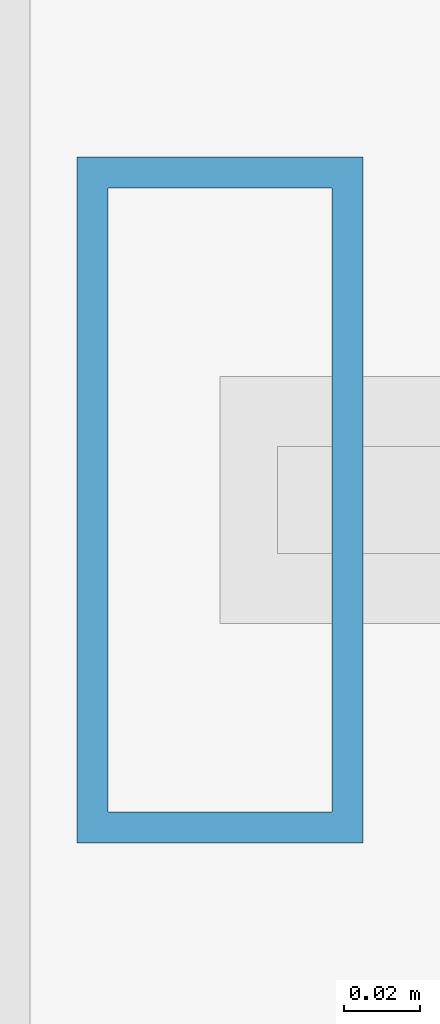
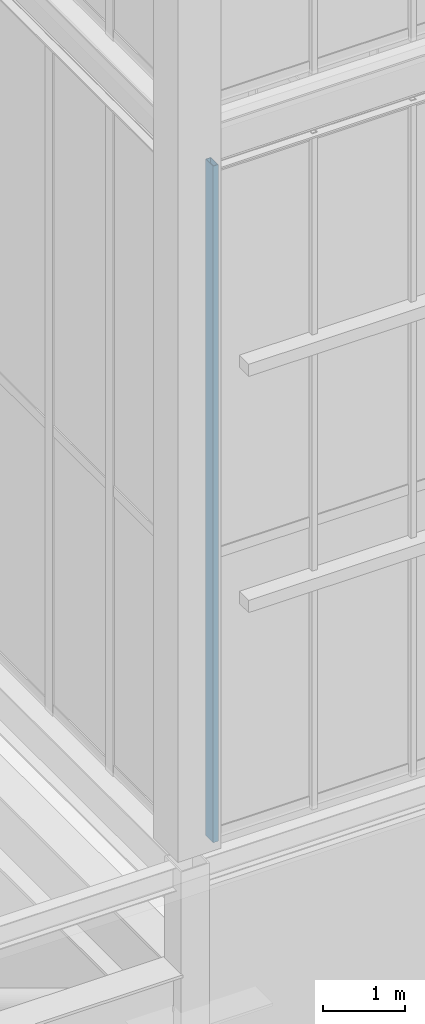
# One storey, part 30 of 135: 1 member, 1 element without a shape of its own.
"""IFC4 building model written with IfcOpenShell, lengths in metres."""

from ifc_helpers import new_model, si_unit, direction, frame, origin, origin_2d, place, context, subcontext, project, spatial, hollow_rectangle, extrude, source, transform, mapped, material, layer, layer_set, material_profile, profile_set, type_object, element, aggregate, save


model = new_model("IFC4")

# Units and contexts
model_context = context("Model", 3, precision=1e-05, world=origin(), true_north=direction((0.0, 1.0)))
body_context = subcontext(model_context, "Body", "Model", "MODEL_VIEW")
ifc_project = project(units=[si_unit("LENGTHUNIT", "METRE"), si_unit("AREAUNIT", "SQUARE_METRE"), si_unit("VOLUMEUNIT", "CUBIC_METRE"), si_unit("PLANEANGLEUNIT", "RADIAN"), si_unit("MASSUNIT", "GRAM", prefix="KILO")], contexts=[model_context])

# Site, building, storey
site_placement = place(None, origin())
site = spatial("IfcSite", under=ifc_project, at=site_placement, CompositionType="ELEMENT")
building_placement = place(site_placement, origin())
building = spatial("IfcBuilding", under=site, at=building_placement, Name="Giltprow Tower", CompositionType="ELEMENT")
storey_placement = place(building_placement, frame((0.0, 0.0, 352.699951171875)))
storey = spatial("IfcBuildingStorey", under=building, at=storey_placement, Name="L92", CompositionType="ELEMENT", Elevation=352.699951171875)

# Curtain wall, member
ifc_material = material(Name="Anodized bronze", Category="metal")
ifc_layer = layer(ifc_material, 0.179931640625, Name="Anodized bronze")
ifc_layer_set = layer_set([ifc_layer], Name="Anodized bronze")
curtain_wall_type = type_object("IfcCurtainWallType", Name="CW-CROWN-LANTERN", PredefinedType="NOTDEFINED", material=ifc_layer_set)
curtain_wall_placement = place(storey_placement, origin())
curtain_wall = element("IfcCurtainWall", 1, at=curtain_wall_placement, inside=storey, type_object=curtain_wall_type, Name="Crown East Lower Lantern Glazing 1", PredefinedType="NOTDEFINED")
ifc_material_profile = material_profile(ifc_material, hollow_rectangle(XDim=0.074951171875, YDim=0.179931640625, WallThickness=0.008056640625, at=origin_2d()), Name="RHS 180x75x8")
ifc_profile_set = profile_set([ifc_material_profile], Name="Anodized bronze")
member_type = type_object("IfcMemberType", Name="CW-MULLION-180x75", PredefinedType="MULLION", material=ifc_profile_set)
shared_shape = source(origin(), body_context, "Body", "SweptSolid", [
    extrude(hollow_rectangle(XDim=0.074951171875, YDim=0.179931640625, WallThickness=0.008056640625, at=origin_2d()), origin(), (0.0, 0.0, 1.0), 10.030029296875),
])
member_placement = place(storey_placement, frame((44.64990234375, 23.5, 6.35009765625), z_axis=(0.0, 0.0, 1.0), x_axis=(1.0, 0.0, 0.0)))
member = element("IfcMember", 2, at=member_placement, type_object=member_type, Name="Crown East Lower Lantern Glazing 1 Mullion 1", PredefinedType="MULLION", context=body_context, shape_type="MappedRepresentation", body=[
    mapped(shared_shape, transform((0.0, 0.0, 0.0), x_axis=(1.0, 0.0, 0.0), y_axis=(0.0, 1.0, 0.0), z_axis=(0.0, 0.0, 1.0), scale=1.0)),
])
aggregate(curtain_wall, [member])

save(model, "model.ifc")
